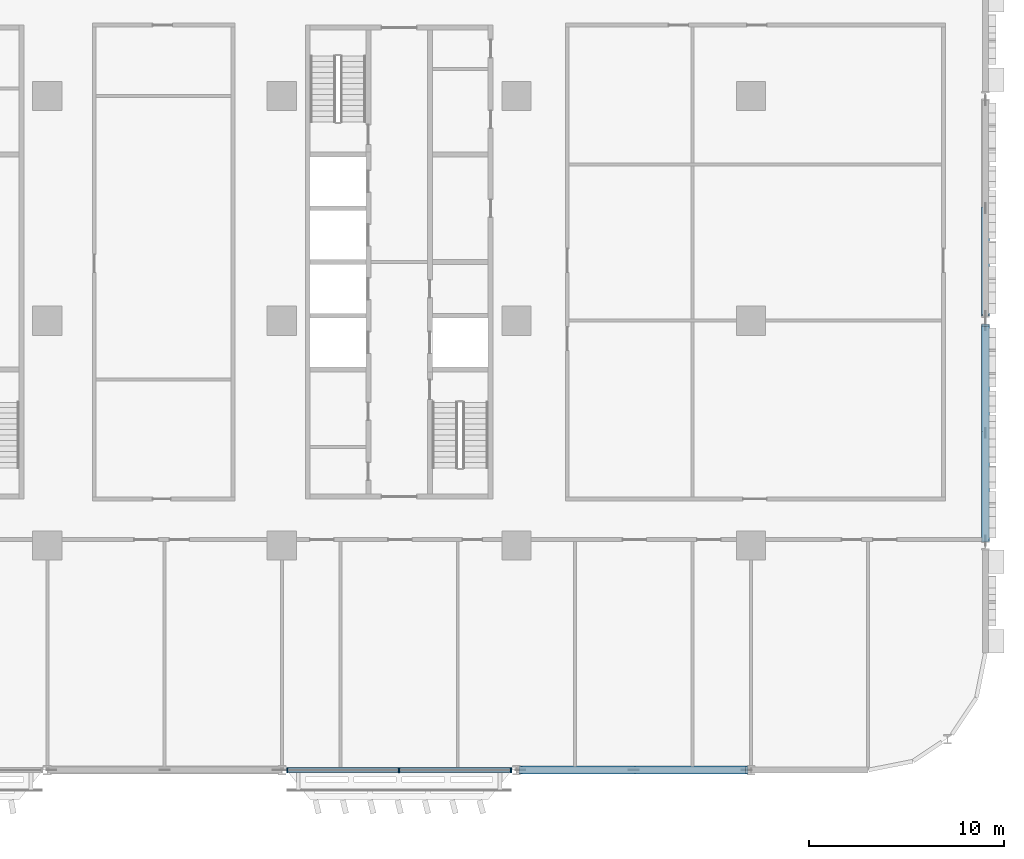
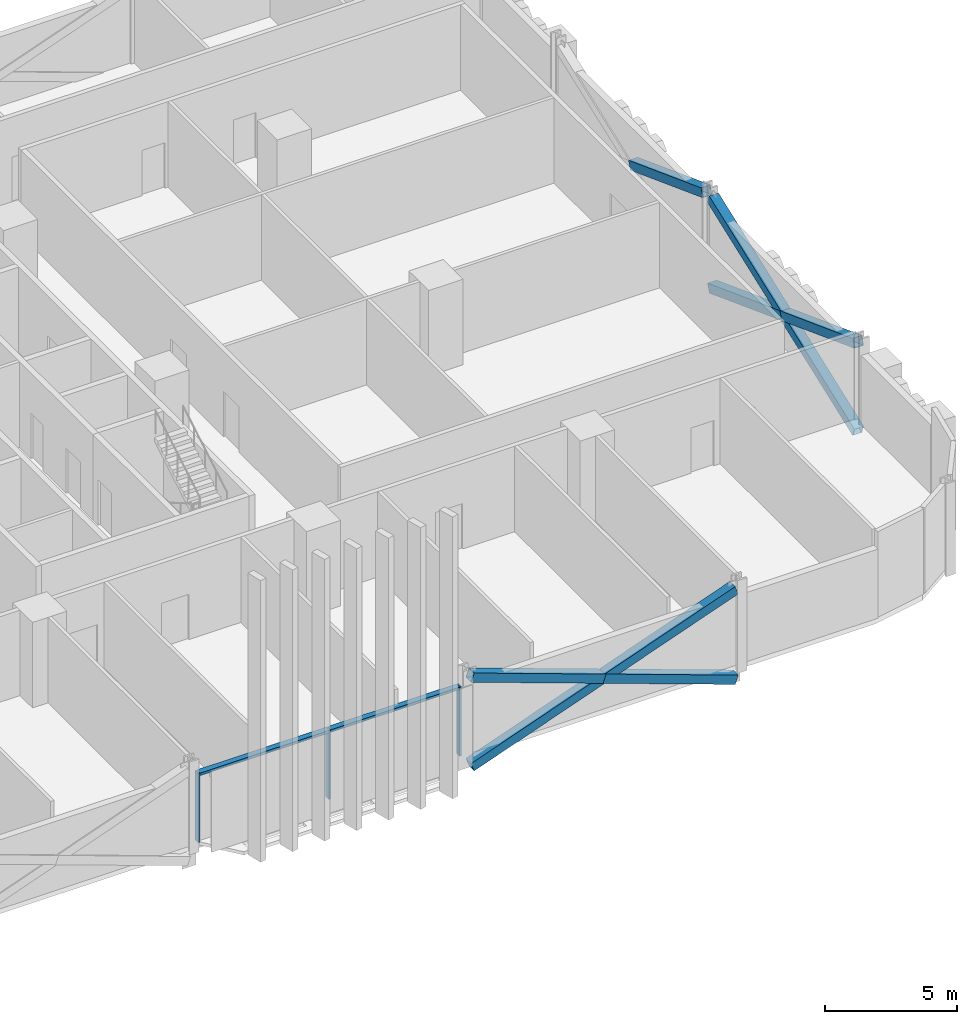
# One storey, part 6 of 29: 12 members, 1 element without a shape of its own.
"""IFC4 building model written with IfcOpenShell, lengths in metres."""

import ifcopenshell
import ifcopenshell.guid

model = None  # the IFC model being written
_history = None  # IfcOwnerHistory: only IFC2X3 demands one
_inside = {}  # id of a spatial element -> (the spatial element, [elements in it])
_under = {}  # id of a project, library or spatial element -> (it, [spatial elements below it])
_declared = {}  # id of a project -> (the project, [libraries it declares])
_typed = {}  # id of a type object -> (the type object, [elements of that type])
_made_of = {}  # id of a material, layer set ... -> (it, [elements and type objects made of it])


def new_model(schema):
    """Start an empty IFC model of exactly this schema.

    Asked for "IFC4X3", IfcOpenShell would pick the latest addendum, in which some entities
    have other attributes; the version numbers below select the first issue.
    IFC2X3 requires an IfcOwnerHistory on every rooted entity: one is made here for all.
    """
    global model, _history
    if schema == "IFC4X3":
        model = ifcopenshell.file(schema_version=(4, 3, 0, 0))
    else:
        model = ifcopenshell.file(schema=schema)
    _inside.clear()
    _under.clear()
    _declared.clear()
    _typed.clear()
    _made_of.clear()
    _history = None
    if model.schema == "IFC2X3":
        org = make("IfcOrganization", Name="unknown")
        user = make(
            "IfcPersonAndOrganization",
            ThePerson=make("IfcPerson", FamilyName="unknown"),
            TheOrganization=org,
        )
        app = make(
            "IfcApplication",
            ApplicationDeveloper=org,
            Version="unknown",
            ApplicationFullName="unknown",
            ApplicationIdentifier="unknown",
        )
        _history = make(
            "IfcOwnerHistory",
            OwningUser=user,
            OwningApplication=app,
            ChangeAction="ADDED",
            CreationDate=0,
        )
    return model


def make(cls, **values):
    """One entity of the class cls with the attributes given. An attribute that is None is left unset."""
    return model.create_entity(
        cls, **{name: value for name, value in values.items() if value is not None}
    )


def rooted(cls, **values):
    """An entity with a GlobalId (a new one), such as an element, a storey or a relation."""
    return make(cls, GlobalId=ifcopenshell.guid.new(), OwnerHistory=_history, **values)


def si_unit(unit_type, name, prefix=None):
    """IfcSIUnit, for example si_unit("LENGTHUNIT", "METRE", prefix="MILLI")."""
    return make("IfcSIUnit", UnitType=unit_type, Prefix=prefix, Name=name)


def assignment(units):
    """IfcUnitAssignment: the units of a project."""
    return None if units is None else make("IfcUnitAssignment", Units=units)


def point(xyz):
    """IfcCartesianPoint."""
    return None if xyz is None else make("IfcCartesianPoint", Coordinates=xyz)


def direction(xyz):
    """IfcDirection."""
    return None if xyz is None else make("IfcDirection", DirectionRatios=xyz)


def frame(location, z_axis=None, x_axis=None):
    """IfcAxis2Placement3D, a coordinate frame: its origin and axes. An axis left out is left unset."""
    return make(
        "IfcAxis2Placement3D",
        Location=point(location),
        Axis=direction(z_axis),
        RefDirection=direction(x_axis),
    )


def frame_2d(location, x_axis=None):
    """IfcAxis2Placement2D, a coordinate frame in the plane: its origin and x axis."""
    return make(
        "IfcAxis2Placement2D", Location=point(location), RefDirection=direction(x_axis)
    )


def origin():
    """The frame at (0, 0, 0) with its axes left unset."""
    return frame((0.0, 0.0, 0.0))


def origin_2d():
    """The frame at (0, 0) in the plane with its x axis left unset."""
    return frame_2d((0.0, 0.0))


def place(relative_to, where):
    """IfcLocalPlacement: puts the frame where relative to a parent placement (None: the world)."""
    return make(
        "IfcLocalPlacement", PlacementRelTo=relative_to, RelativePlacement=where
    )


def context(
    kind, dimensions, precision=None, world=None, true_north=None, identifier=None
):
    """IfcGeometricRepresentationContext, for example the 3D "Model" context."""
    return make(
        "IfcGeometricRepresentationContext",
        ContextIdentifier=identifier,
        ContextType=kind,
        CoordinateSpaceDimension=dimensions,
        Precision=precision,
        WorldCoordinateSystem=world,
        TrueNorth=true_north,
    )


def subcontext(parent, identifier, kind, view, scale=None):
    """IfcGeometricRepresentationSubContext, for example "Body" below "Model"."""
    return make(
        "IfcGeometricRepresentationSubContext",
        ContextIdentifier=identifier,
        ContextType=kind,
        ParentContext=parent,
        TargetScale=scale,
        TargetView=view,
    )


def project(units=None, contexts=None):
    """IfcProject with its units and contexts."""
    return rooted(
        "IfcProject",
        Name="project",
        RepresentationContexts=contexts,
        UnitsInContext=assignment(units),
    )


def spatial(cls, under=None, at=None, **own):
    """A site, building, storey or space (cls), placed at a placement, below another one or the project."""
    s = rooted(cls, ObjectPlacement=at, **own)
    if under is not None:
        _under.setdefault(under.id(), (under, []))[1].append(s)
    return s


def profile(cls, at=None, kind="AREA", **sizes):
    """A parametric profile (cls). Its sizes go by their IFC names, for example OverallWidth=200.0."""
    return make(cls, ProfileType=kind, Position=at, **sizes)


def rectangle(**sizes):
    """IfcRectangleProfileDef."""
    return profile("IfcRectangleProfileDef", **sizes)


def hollow_rectangle(**sizes):
    """IfcRectangleHollowProfileDef."""
    return profile("IfcRectangleHollowProfileDef", **sizes)


def extrude(swept, where, along, depth):
    """IfcExtrudedAreaSolid: the profile swept, set in the frame where, extruded along a direction by depth."""
    return make(
        "IfcExtrudedAreaSolid",
        SweptArea=swept,
        Position=where,
        ExtrudedDirection=direction(along),
        Depth=depth,
    )


def shape(context_of_items, identifier, shape_type, items):
    """IfcShapeRepresentation: the items that make up one representation, for example the "Body"."""
    return make(
        "IfcShapeRepresentation",
        ContextOfItems=context_of_items,
        RepresentationIdentifier=identifier,
        RepresentationType=shape_type,
        Items=items,
    )


def material(Name=None, Category=None):
    """IfcMaterial."""
    return make("IfcMaterial", Name=Name, Category=Category)


def material_profile(
    of_material, cross_section, Name=None, Category=None, Priority=None
):
    """IfcMaterialProfile: a cross section and its material."""
    return make(
        "IfcMaterialProfile",
        Name=Name,
        Material=of_material,
        Profile=cross_section,
        Priority=Priority,
        Category=Category,
    )


def profile_set(profiles, Name=None, composite=None):
    """IfcMaterialProfileSet."""
    return make(
        "IfcMaterialProfileSet",
        Name=Name,
        MaterialProfiles=profiles,
        CompositeProfile=composite,
    )


def made_of(thing, what):
    """Note that an element or type object is made of a material, layer set ...; save() writes the relation."""
    if what is not None:
        _made_of.setdefault(what.id(), (what, []))[1].append(thing)
    return thing


def type_object(cls, material=None, **own):
    """A type object (cls), such as IfcWallType, which elements share."""
    return made_of(rooted(cls, **own), material)


def element(
    cls,
    number,
    at=None,
    inside=None,
    cuts=None,
    type_object=None,
    material=None,
    context=None,
    identifier="Body",
    shape_type=None,
    held_by="IfcProductDefinitionShape",
    body=None,
    shapes=None,
    **own,
):
    """One element of the class cls, such as IfcWall. Its Tag is "e" and its number.

    at: its placement. inside: the storey or other place that contains it. cuts: it is an
    opening in that element (IfcRelVoidsElement). A single representation is given by context,
    identifier, shape_type and body (its items); several are given by shapes. held_by: the class
    of the entity that holds the representations. save() writes the other relations.
    """
    e = rooted(cls, Tag="e%d" % number, ObjectPlacement=at, **own)
    if body is not None:
        shapes = [shape(context, identifier, shape_type, body)]
    if shapes is not None:
        e.Representation = make(held_by, Representations=shapes)
    if inside is not None:
        _inside.setdefault(inside.id(), (inside, []))[1].append(e)
    if cuts is not None:
        rooted(
            "IfcRelVoidsElement", RelatingBuildingElement=cuts, RelatedOpeningElement=e
        )
    if type_object is not None:
        _typed.setdefault(type_object.id(), (type_object, []))[1].append(e)
    return made_of(e, material)


def aggregate(whole, parts):
    """IfcRelAggregates: a whole, such as a stair, and the parts it consists of."""
    return rooted("IfcRelAggregates", RelatingObject=whole, RelatedObjects=parts)


def save(model, path):
    """Write the relations noted so far, then the file.

    IfcRelAggregates (storeys below a building ...), IfcRelContainedInSpatialStructure (elements
    in a storey), IfcRelDefinesByType, IfcRelAssociatesMaterial and IfcRelDeclares: one each for
    every whole, place, type object, material and project.
    """
    for whole, parts in _under.values():
        aggregate(whole, parts)
    for where, things in _inside.values():
        rooted(
            "IfcRelContainedInSpatialStructure",
            RelatedElements=things,
            RelatingStructure=where,
        )
    for kind, things in _typed.values():
        rooted("IfcRelDefinesByType", RelatedObjects=things, RelatingType=kind)
    for what, things in _made_of.values():
        rooted("IfcRelAssociatesMaterial", RelatedObjects=things, RelatingMaterial=what)
    for by, libraries in _declared.values():
        rooted("IfcRelDeclares", RelatingContext=by, RelatedDefinitions=libraries)
    model.write(path)


model = new_model("IFC4")

# Units and contexts
model_context = context("Model", 3, precision=1e-05, world=origin(), true_north=direction((0.0, 1.0)))
body_context = subcontext(model_context, "Body", "Model", "MODEL_VIEW")
ifc_project = project(units=[si_unit("LENGTHUNIT", "METRE"), si_unit("AREAUNIT", "SQUARE_METRE"), si_unit("VOLUMEUNIT", "CUBIC_METRE"), si_unit("PLANEANGLEUNIT", "RADIAN"), si_unit("MASSUNIT", "GRAM", prefix="KILO")], contexts=[model_context])

# Site, building, storey
site_placement = place(None, origin())
site = spatial("IfcSite", under=ifc_project, at=site_placement, CompositionType="ELEMENT")
building_placement = place(site_placement, origin())
building = spatial("IfcBuilding", under=site, at=building_placement, Name="Mahtab Terrace Research Tower", CompositionType="ELEMENT")
storey_placement = place(building_placement, frame((0.0, 0.0, 46.0)))
storey = spatial("IfcBuildingStorey", under=building, at=storey_placement, Name="L10", CompositionType="ELEMENT", Elevation=46.0)

# Members
ifc_material_1 = material(Name="Steel ASTM A500 Gr C", Category="steel")
ifc_material_profile_1 = material_profile(ifc_material_1, hollow_rectangle(XDim=0.406494140625, YDim=0.406494140625, WallThickness=0.01904296875, at=origin_2d()), Name="HSS16X16X3/4")
ifc_profile_set_1 = profile_set([ifc_material_profile_1], Name="Steel ASTM A500 Gr C")
member_type_1 = type_object("IfcMemberType", Name="HSS 16x16x3/4 brace XB161634", PredefinedType="BRACE", material=ifc_profile_set_1)
member_1_placement = place(storey_placement, frame((30.212158203125, -23.0, -0.642333984375), z_axis=(0.941386519928, 0.0, 0.337329838731), x_axis=(0.0, 1.0, 0.0)))
element("IfcMember", 1, at=member_1_placement, inside=storey, type_object=member_type_1, Name="Exoskeleton brace L10 19 a", PredefinedType="BRACE", context=body_context, shape_type="SweptSolid", body=[
    extrude(hollow_rectangle(XDim=0.406494140625, YDim=0.406494140625, WallThickness=0.01904296875, at=origin_2d()), origin(), (0.0, 0.0, 1.0), 12.29638671875),
])
for number, where, z_axis, x_axis, name in (
    (2, (41.787841796875, -23.0, -0.642333984375), (-0.941386519928, 0.0, 0.337329838731), (0.0, -1.0, 0.0), "Exoskeleton brace L10 19 b1"),
    (3, (36.0, -23.0, 1.431640625), (-0.941386519928, 0.0, 0.337329838731), (0.0, -1.0, 0.0), "Exoskeleton brace L10 19 b2"),
):
    element("IfcMember", number, at=place(storey_placement, frame(where, z_axis=z_axis, x_axis=x_axis)), inside=storey, type_object=member_type_1, Name=name, PredefinedType="BRACE", context=body_context, shape_type="SweptSolid", body=[
        extrude(hollow_rectangle(XDim=0.406494140625, YDim=0.406494140625, WallThickness=0.01904296875, at=origin_2d()), origin(), (0.0, 0.0, 1.0), 6.148193359375),
    ])
member_2_placement = place(storey_placement, frame((54.0, -11.262451171875, -0.629638671875), z_axis=(0.0, 0.936664598222, 0.35022768371), x_axis=(-1.0, 0.0, 0.0)))
element("IfcMember", 4, at=member_2_placement, inside=storey, type_object=member_type_1, Name="Exoskeleton brace L10 22 a", PredefinedType="BRACE", context=body_context, shape_type="SweptSolid", body=[
    extrude(hollow_rectangle(XDim=0.406494140625, YDim=0.406494140625, WallThickness=0.01904296875, at=origin_2d()), origin(), (0.0, 0.0, 1.0), 11.770263671875),
])
for number, where, z_axis, x_axis, name in (
    (5, (54.0, -0.237548828125, -0.629638671875), (0.0, -0.936657793787, 0.350245881259), (1.0, 0.0, 0.0), "Exoskeleton brace L10 22 b1"),
    (6, (54.0, -5.75, 1.431640625), (0.0, -0.936671402403, 0.350209485765), (1.0, 0.0, 0.0), "Exoskeleton brace L10 22 b2"),
    (7, (54.0, 5.75, 1.431640625), (0.0, -0.936671402403, 0.350209485765), (1.0, 0.0, 0.0), "Exoskeleton brace L10 23 b2"),
):
    element("IfcMember", number, at=place(storey_placement, frame(where, z_axis=z_axis, x_axis=x_axis)), inside=storey, type_object=member_type_1, Name=name, PredefinedType="BRACE", context=body_context, shape_type="SweptSolid", body=[
        extrude(hollow_rectangle(XDim=0.406494140625, YDim=0.406494140625, WallThickness=0.01904296875, at=origin_2d()), origin(), (0.0, 0.0, 1.0), 5.88525390625),
    ])

# Curtain wall, members
ifc_material_2 = material(Name="Sky lounge full-height curtain wall")
curtain_wall_type = type_object("IfcCurtainWallType", Name="Sky lounge full-height curtain wall", PredefinedType="NOTDEFINED", material=ifc_material_2)
curtain_wall_placement = place(storey_placement, origin())
curtain_wall = element("IfcCurtainWall", 8, at=curtain_wall_placement, inside=storey, type_object=curtain_wall_type, Name="EN.L10.13.28", PredefinedType="NOTDEFINED")
ifc_material_3 = material(Name="Natural anodised aluminium", Category="aluminium")
ifc_material_profile_2 = material_profile(ifc_material_3, rectangle(XDim=0.25, YDim=0.070068359375, at=origin_2d()), Name="MULLION 70x250")
ifc_profile_set_2 = profile_set([ifc_material_profile_2], Name="Natural anodised aluminium")
member_type_2 = type_object("IfcMemberType", Name="Sky lounge full-height curtain wall mullion", PredefinedType="MULLION", material=ifc_profile_set_2)
member_3_placement = place(storey_placement, frame((18.27294921875, -23.0, 0.0), z_axis=(0.0, 0.0, 1.0), x_axis=(0.0, 1.0, 0.0)))
member_3 = element("IfcMember", 9, at=member_3_placement, type_object=member_type_2, Name="CWS-2 mullion 1", PredefinedType="MULLION", context=body_context, shape_type="SweptSolid", body=[
    extrude(rectangle(XDim=0.25, YDim=0.070068359375, at=origin_2d()), origin(), (0.0, 0.0, 1.0), 3.203125),
])
member_4_placement = place(storey_placement, frame((24.0, -23.0, 0.0), z_axis=(0.0, 0.0, 1.0), x_axis=(0.0, 1.0, 0.0)))
member_4 = element("IfcMember", 10, at=member_4_placement, type_object=member_type_2, Name="CWS-2 mullion 2", PredefinedType="MULLION", context=body_context, shape_type="SweptSolid", body=[
    extrude(rectangle(XDim=0.25, YDim=0.070068359375, at=origin_2d()), origin(), (0.0, 0.0, 1.0), 3.203125),
])
member_5_placement = place(storey_placement, frame((29.72705078125, -23.0, 0.0), z_axis=(0.0, 0.0, 1.0), x_axis=(0.0, 1.0, 0.0)))
member_5 = element("IfcMember", 11, at=member_5_placement, type_object=member_type_2, Name="CWS-2 mullion 3", PredefinedType="MULLION", context=body_context, shape_type="SweptSolid", body=[
    extrude(rectangle(XDim=0.25, YDim=0.070068359375, at=origin_2d()), origin(), (0.0, 0.0, 1.0), 3.203125),
])
ifc_material_profile_3 = material_profile(ifc_material_3, rectangle(XDim=0.25, YDim=0.1201171875, at=origin_2d()), Name="TRANSOM 120x250")
ifc_profile_set_3 = profile_set([ifc_material_profile_3], Name="Natural anodised aluminium")
member_type_3 = type_object("IfcMemberType", Name="Sky lounge full-height curtain wall transom", PredefinedType="USERDEFINED", material=ifc_profile_set_3)
member_6_placement = place(storey_placement, frame((18.30810546875, -23.0, 3.14306640625), z_axis=(1.0, 0.0, 0.0), x_axis=(0.0, 1.0, 0.0)))
member_6 = element("IfcMember", 12, at=member_6_placement, type_object=member_type_3, Name="CWS-2 transom 1", ObjectType="TRANSOM", PredefinedType="USERDEFINED", context=body_context, shape_type="SweptSolid", body=[
    extrude(rectangle(XDim=0.25, YDim=0.1201171875, at=origin_2d()), origin(), (0.0, 0.0, 1.0), 5.656982421875),
])
member_7_placement = place(storey_placement, frame((24.034912109375, -23.0, 3.14306640625), z_axis=(1.0, 0.0, 0.0), x_axis=(0.0, 1.0, 0.0)))
member_7 = element("IfcMember", 13, at=member_7_placement, type_object=member_type_3, Name="CWS-2 transom 2", ObjectType="TRANSOM", PredefinedType="USERDEFINED", context=body_context, shape_type="SweptSolid", body=[
    extrude(rectangle(XDim=0.25, YDim=0.1201171875, at=origin_2d()), origin(), (0.0, 0.0, 1.0), 5.656982421875),
])
aggregate(curtain_wall, [member_3, member_4, member_5, member_6, member_7])

save(model, "model.ifc")
